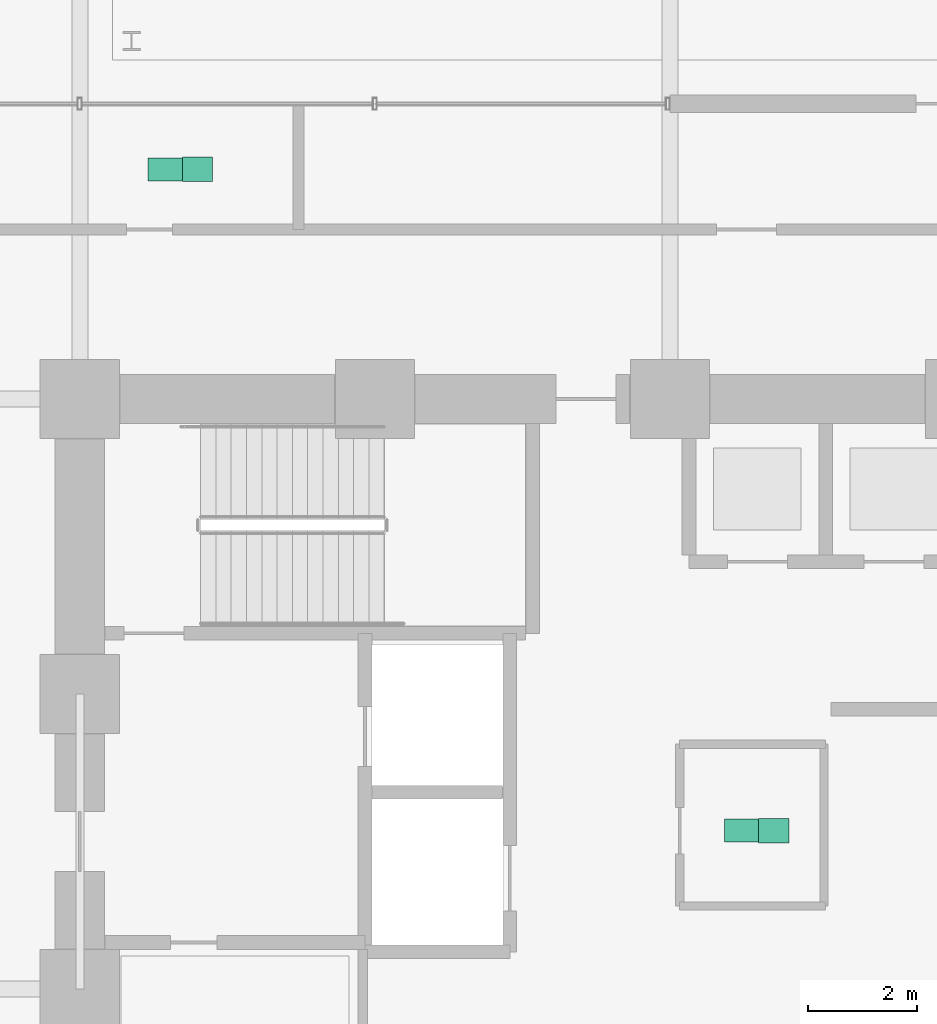
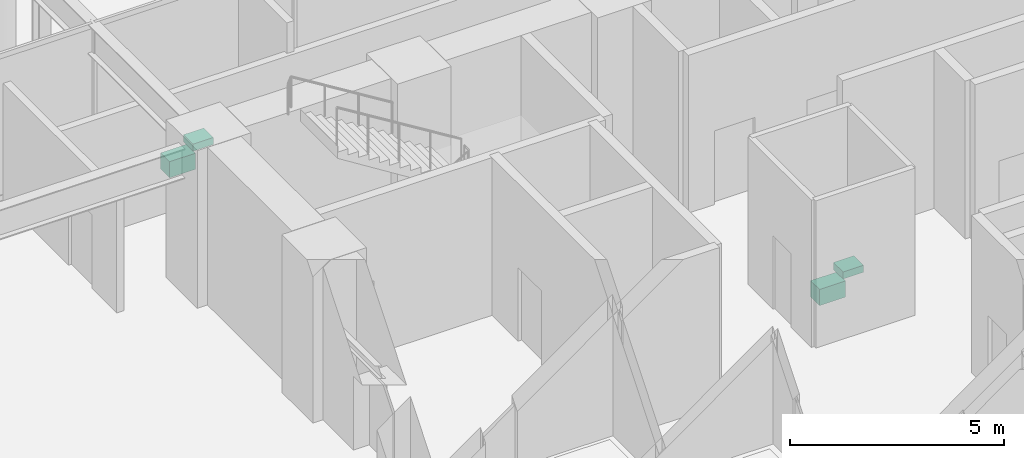
# One storey, part 28 of 29: 4 sanitary terminals.
"""IFC4 building model written with IfcOpenShell, lengths in metres."""

from ifc_helpers import new_model, si_unit, direction, frame, origin, origin_2d, place, context, subcontext, project, spatial, rectangle, extrude, material, type_object, element, save


model = new_model("IFC4")

# Units and contexts
model_context = context("Model", 3, precision=1e-05, world=origin(), true_north=direction((0.0, 1.0)))
body_context = subcontext(model_context, "Body", "Model", "MODEL_VIEW")
ifc_project = project(units=[si_unit("LENGTHUNIT", "METRE"), si_unit("AREAUNIT", "SQUARE_METRE"), si_unit("VOLUMEUNIT", "CUBIC_METRE"), si_unit("PLANEANGLEUNIT", "RADIAN"), si_unit("MASSUNIT", "GRAM", prefix="KILO")], contexts=[model_context])

# Site, building, storey
site_placement = place(None, origin())
site = spatial("IfcSite", under=ifc_project, at=site_placement, CompositionType="ELEMENT")
building_placement = place(site_placement, origin())
building = spatial("IfcBuilding", under=site, at=building_placement, Name="Surkhivell Harbour Commons", CompositionType="ELEMENT")
storey_placement = place(building_placement, origin())
storey = spatial("IfcBuildingStorey", under=building, at=storey_placement, Name="L00", CompositionType="ELEMENT", Elevation=0.0)

# Sanitary terminals
ifc_material_1 = material(Name="Vitreous china washbasin", Category="other")
sanitary_terminal_type_1 = type_object("IfcSanitaryTerminalType", Name="SAN-BSN", PredefinedType="WASHHANDBASIN", material=ifc_material_1)
for number, where, z_axis, x_axis, name in (
    (1, (1.89990234375, 2.89990234375, 0.72021484375), (0.0, 0.0, 1.0), (1.0, 0.0, 0.0), "L00 Core Accessible WC Washbasin"),
    (2, (-8.64990234375, 15.0, 0.72021484375), (0.0, 0.0, 1.0), (1.0, 0.0, 0.0), "L00 Accessible WC Washbasin"),
):
    element("IfcSanitaryTerminal", number, at=place(storey_placement, frame(where, z_axis=z_axis, x_axis=x_axis)), inside=storey, type_object=sanitary_terminal_type_1, Name=name, PredefinedType="WASHHANDBASIN", context=body_context, shape_type="SweptSolid", body=[
        extrude(rectangle(XDim=0.550048828125, YDim=0.449951171875, at=origin_2d()), origin(), (0.0, 0.0, 1.0), 0.199951171875),
    ])
ifc_material_2 = material(Name="Vitreous china sanitaryware", Category="other")
sanitary_terminal_type_2 = type_object("IfcSanitaryTerminalType", Name="SAN-WC-ACC", PredefinedType="TOILETPAN", material=ifc_material_2)
for number, where, z_axis, x_axis, name in (
    (3, (1.35009765625, 2.89990234375, 0.169921875), (0.0, 0.0, 1.0), (1.0, 0.0, 0.0), "L00 Core Accessible WC"),
    (4, (-9.199951171875, 15.0, 0.169921875), (0.0, 0.0, 1.0), (1.0, 0.0, 0.0), "L00 Accessible WC"),
):
    element("IfcSanitaryTerminal", number, at=place(storey_placement, frame(where, z_axis=z_axis, x_axis=x_axis)), inside=storey, type_object=sanitary_terminal_type_2, Name=name, PredefinedType="TOILETPAN", context=body_context, shape_type="SweptSolid", body=[
        extrude(rectangle(XDim=0.699951171875, YDim=0.419921875, at=origin_2d()), origin(), (0.0, 0.0, 1.0), 0.4599609375),
    ])

save(model, "model.ifc")
